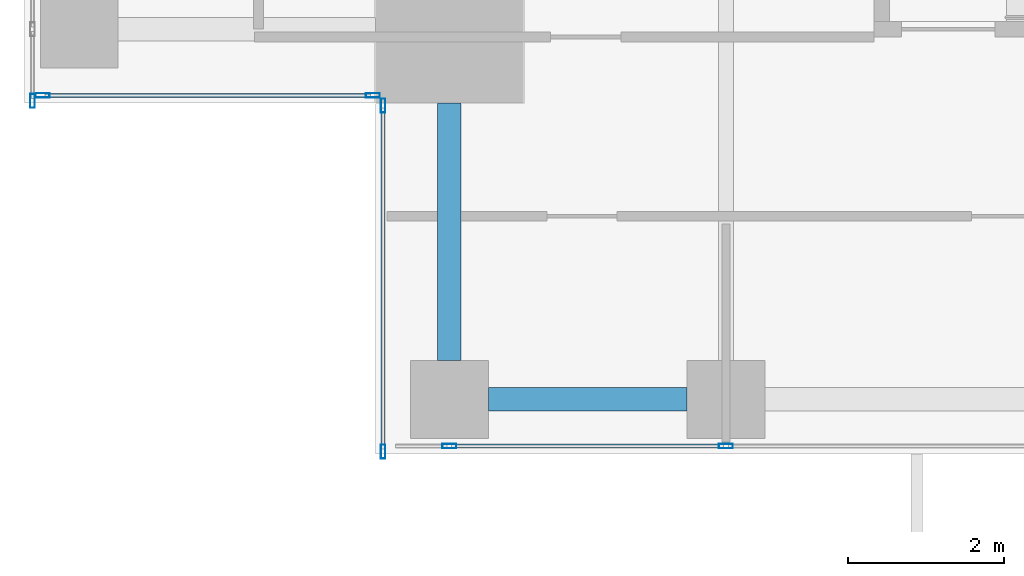
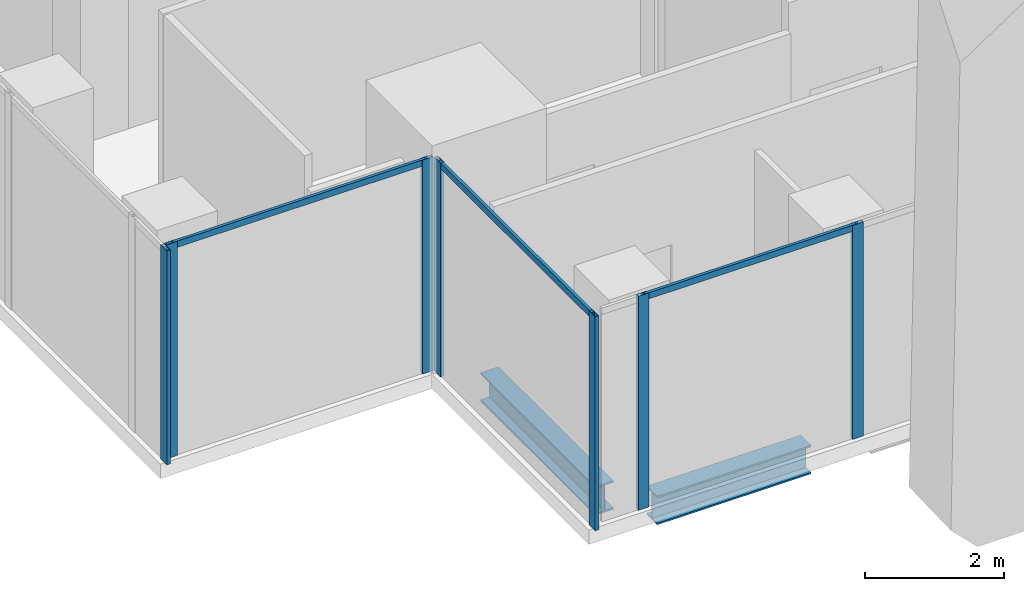
# One storey, part 2 of 38: 10 members, 2 beams, 4 elements without a shape of their own.
"""IFC4 building model written with IfcOpenShell, lengths in metres."""

from ifc_helpers import new_model, si_unit, direction, frame, origin, origin_2d, place, context, subcontext, project, spatial, hollow_rectangle, i_section, extrude, source, transform, mapped, material, material_profile, profile_set, type_object, element, aggregate, save


model = new_model("IFC4")

# Units and contexts
model_context = context("Model", 3, precision=1e-05, world=origin(), true_north=direction((0.0, 1.0)))
body_context = subcontext(model_context, "Body", "Model", "MODEL_VIEW")
ifc_project = project(units=[si_unit("LENGTHUNIT", "METRE"), si_unit("AREAUNIT", "SQUARE_METRE"), si_unit("VOLUMEUNIT", "CUBIC_METRE"), si_unit("PLANEANGLEUNIT", "RADIAN"), si_unit("MASSUNIT", "GRAM", prefix="KILO")], contexts=[model_context])

# Site, building, storey
site_placement = place(None, origin())
site = spatial("IfcSite", under=ifc_project, at=site_placement, CompositionType="ELEMENT")
building_placement = place(site_placement, origin())
building = spatial("IfcBuilding", under=site, at=building_placement, Name="Khomas Fold Tower", CompositionType="ELEMENT")
storey_placement = place(building_placement, frame((0.0, 0.0, 196.699951171875)))
storey = spatial("IfcBuildingStorey", under=building, at=storey_placement, Name="L43", CompositionType="ELEMENT", Elevation=196.699951171875)

# Beams
ifc_material_1 = material(Name="Steel S355", Category="steel")
ifc_material_profile_1 = material_profile(ifc_material_1, i_section(OverallWidth=0.300048828125, OverallDepth=0.5, WebThickness=0.014404296875, FlangeThickness=0.028076171875, at=origin_2d()), Name="HE 500 B")
ifc_profile_set_1 = profile_set([ifc_material_profile_1], Name="Steel S355")
beam_type = type_object("IfcBeamType", Name="HE 500 B spandrel SB3", PredefinedType="SPANDREL", material=ifc_profile_set_1)
shared_shape_1 = source(origin(), body_context, "Body", "SweptSolid", [
    extrude(i_section(OverallWidth=0.300048828125, OverallDepth=0.5, WebThickness=0.014404296875, FlangeThickness=0.028076171875, at=origin_2d()), origin(), (0.0, 0.0, 1.0), 2.550048828125),
])
beam_1_placement = place(storey_placement, frame((8.949951171875, 3.699951171875, -0.5), z_axis=(1.0, 0.0, 0.0), x_axis=(0.0, 1.0, 0.0)))
element("IfcBeam", 1, at=beam_1_placement, inside=storey, type_object=beam_type, Name="SB3", PredefinedType="SPANDREL", context=body_context, shape_type="MappedRepresentation", body=[
    mapped(shared_shape_1, transform((0.0, 0.0, 0.0))),
])
shared_shape_2 = source(origin(), body_context, "Body", "SweptSolid", [
    extrude(i_section(OverallWidth=0.300048828125, OverallDepth=0.5, WebThickness=0.014404296875, FlangeThickness=0.028076171875, at=origin_2d()), origin(), (0.0, 0.0, 1.0), 3.300048828125),
])
beam_2_placement = place(storey_placement, frame((8.449951171875, 4.199951171875, -0.5), z_axis=(0.0, 1.0, 0.0), x_axis=(-1.0, 0.0, 0.0)))
element("IfcBeam", 2, at=beam_2_placement, inside=storey, type_object=beam_type, Name="SB3", PredefinedType="SPANDREL", context=body_context, shape_type="MappedRepresentation", body=[
    mapped(shared_shape_2, transform((0.0, 0.0, 0.0))),
])

# Curtain wall, members
ifc_material_2 = material(Name="Aluminium framed double glazing", Category="aluminium")
curtain_wall_type = type_object("IfcCurtainWallType", Name="SK-Unitised clear-glass wall, office floors CW2", PredefinedType="NOTDEFINED", material=ifc_material_2)
curtain_wall_1_placement = place(storey_placement, origin())
curtain_wall_1 = element("IfcCurtainWall", 3, at=curtain_wall_1_placement, inside=storey, type_object=curtain_wall_type, Name="CW2 run L43 00-0", PredefinedType="NOTDEFINED")
ifc_material_3 = material(Name="Aluminium", Category="aluminium")
ifc_material_profile_2 = material_profile(ifc_material_3, hollow_rectangle(XDim=0.06005859375, YDim=0.179931640625, WallThickness=0.00390625, at=origin_2d()), Name="SK-Unitised clear-glass wall, office floors mullion CW2-M")
ifc_profile_set_2 = profile_set([ifc_material_profile_2], Name="Aluminium")
member_type_1 = type_object("IfcMemberType", Name="SK-Unitised clear-glass wall, office floors mullion CW2-M", PredefinedType="MULLION", material=ifc_profile_set_2)
shared_shape_3 = source(origin(), body_context, "Body", "SweptSolid", [
    extrude(hollow_rectangle(XDim=0.06005859375, YDim=0.179931640625, WallThickness=0.00390625, at=origin_2d()), origin(), (0.0, 0.0, 1.0), 3.75),
])
member_1_placement = place(storey_placement, frame((8.449951171875, 3.10009765625, 0.0), z_axis=(0.0, 0.0, 1.0), x_axis=(0.0, 1.0, 0.0)))
member_1 = element("IfcMember", 4, at=member_1_placement, type_object=member_type_1, Name="CW2 mullion 2", PredefinedType="MULLION", context=body_context, shape_type="MappedRepresentation", body=[
    mapped(shared_shape_3, transform((0.0, 0.0, 0.0))),
])
member_2_placement = place(storey_placement, frame((12.0, 3.10009765625, 0.0), z_axis=(0.0, 0.0, 1.0), x_axis=(0.0, 1.0, 0.0)))
member_2 = element("IfcMember", 5, at=member_2_placement, type_object=member_type_1, Name="CW2 mullion 3", PredefinedType="MULLION", context=body_context, shape_type="MappedRepresentation", body=[
    mapped(shared_shape_3, transform((0.0, 0.0, 0.0))),
])

# Curtain wall, member
curtain_wall_2_placement = place(storey_placement, origin())
curtain_wall_2 = element("IfcCurtainWall", 6, at=curtain_wall_2_placement, inside=storey, type_object=curtain_wall_type, Name="CW2 run L43 09-0", PredefinedType="NOTDEFINED")
member_3_placement = place(storey_placement, frame((3.10009765625, 7.530029296875, 0.0), z_axis=(0.0, 0.0, 1.0), x_axis=(1.0, 0.0, 0.0)))
member_3 = element("IfcMember", 7, at=member_3_placement, type_object=member_type_1, Name="CW2 mullion 9", PredefinedType="MULLION", context=body_context, shape_type="MappedRepresentation", body=[
    mapped(shared_shape_3, transform((0.0, 0.0, 0.0))),
])
aggregate(curtain_wall_2, [member_3])

# Curtain wall, members
curtain_wall_3_placement = place(storey_placement, origin())
curtain_wall_3 = element("IfcCurtainWall", 8, at=curtain_wall_3_placement, inside=storey, type_object=curtain_wall_type, Name="CW2 corner return L43 10", PredefinedType="NOTDEFINED")
member_4_placement = place(storey_placement, frame((3.22998046875, 7.60009765625, 0.0), z_axis=(0.0, 0.0, 1.0), x_axis=(0.0, 1.0, 0.0)))
member_4 = element("IfcMember", 9, at=member_4_placement, type_object=member_type_1, Name="CW2 mullion 1", PredefinedType="MULLION", context=body_context, shape_type="MappedRepresentation", body=[
    mapped(shared_shape_3, transform((0.0, 0.0, 0.0))),
])
member_5_placement = place(storey_placement, frame((7.469970703125, 7.60009765625, 0.0), z_axis=(0.0, 0.0, 1.0), x_axis=(0.0, 1.0, 0.0)))
member_5 = element("IfcMember", 10, at=member_5_placement, type_object=member_type_1, Name="CW2 mullion 2", PredefinedType="MULLION", context=body_context, shape_type="MappedRepresentation", body=[
    mapped(shared_shape_3, transform((0.0, 0.0, 0.0))),
])

curtain_wall_4_placement = place(storey_placement, origin())
curtain_wall_4 = element("IfcCurtainWall", 11, at=curtain_wall_4_placement, inside=storey, type_object=curtain_wall_type, Name="CW2 corner return L43 11", PredefinedType="NOTDEFINED")
member_6_placement = place(storey_placement, frame((7.60009765625, 7.469970703125, 0.0), z_axis=(0.0, 0.0, 1.0), x_axis=(1.0, 0.0, 0.0)))
member_6 = element("IfcMember", 12, at=member_6_placement, type_object=member_type_1, Name="CW2 mullion 1", PredefinedType="MULLION", context=body_context, shape_type="MappedRepresentation", body=[
    mapped(shared_shape_3, transform((0.0, 0.0, 0.0))),
])
member_7_placement = place(storey_placement, frame((7.60009765625, 3.030029296875, 0.0), z_axis=(0.0, 0.0, 1.0), x_axis=(1.0, 0.0, 0.0)))
member_7 = element("IfcMember", 13, at=member_7_placement, type_object=member_type_1, Name="CW2 mullion 2", PredefinedType="MULLION", context=body_context, shape_type="MappedRepresentation", body=[
    mapped(shared_shape_3, transform((0.0, 0.0, 0.0))),
])
ifc_material_4 = material(Name="Aluminium", Category="aluminium")
ifc_material_profile_3 = material_profile(ifc_material_4, hollow_rectangle(XDim=0.050048828125, YDim=0.110107421875, WallThickness=0.00390625, at=origin_2d()), Name="SK-Unitised clear-glass wall, office floors transom CW2-T")
ifc_profile_set_3 = profile_set([ifc_material_profile_3], Name="Aluminium")
member_type_2 = type_object("IfcMemberType", Name="SK-Unitised clear-glass wall, office floors transom CW2-T", PredefinedType="USERDEFINED", material=ifc_profile_set_3)
shared_shape_4 = source(origin(), body_context, "Body", "SweptSolid", [
    extrude(hollow_rectangle(XDim=0.050048828125, YDim=0.110107421875, WallThickness=0.00390625, at=origin_2d()), origin(), (0.0, 0.0, 1.0), 4.3798828125),
])
member_8_placement = place(storey_placement, frame((7.60009765625, 7.43994140625, 3.695068359375), z_axis=(0.0, -1.0, 0.0), x_axis=(1.0, 0.0, 0.0)))
member_8 = element("IfcMember", 14, at=member_8_placement, type_object=member_type_2, Name="CW2 transom 1", ObjectType="TRANSOM", PredefinedType="USERDEFINED", context=body_context, shape_type="MappedRepresentation", body=[
    mapped(shared_shape_4, transform((0.0, 0.0, 0.0))),
])
aggregate(curtain_wall_4, [member_6, member_7, member_8])

# Member
shared_shape_5 = source(origin(), body_context, "Body", "SweptSolid", [
    extrude(hollow_rectangle(XDim=0.050048828125, YDim=0.110107421875, WallThickness=0.00390625, at=origin_2d()), origin(), (0.0, 0.0, 1.0), 3.489990234375),
])
member_9_placement = place(storey_placement, frame((8.47998046875, 3.10009765625, 3.695068359375), z_axis=(1.0, 0.0, 0.0), x_axis=(0.0, 1.0, 0.0)))
member_9 = element("IfcMember", 15, at=member_9_placement, type_object=member_type_2, Name="CW2 transom 2", ObjectType="TRANSOM", PredefinedType="USERDEFINED", context=body_context, shape_type="MappedRepresentation", body=[
    mapped(shared_shape_5, transform((0.0, 0.0, 0.0))),
])

aggregate(curtain_wall_1, [member_1, member_2, member_9])

shared_shape_6 = source(origin(), body_context, "Body", "SweptSolid", [
    extrude(hollow_rectangle(XDim=0.050048828125, YDim=0.110107421875, WallThickness=0.00390625, at=origin_2d()), origin(), (0.0, 0.0, 1.0), 4.179931640625),
])
member_10_placement = place(storey_placement, frame((3.260009765625, 7.60009765625, 3.695068359375), z_axis=(1.0, 0.0, 0.0), x_axis=(0.0, 1.0, 0.0)))
member_10 = element("IfcMember", 16, at=member_10_placement, type_object=member_type_2, Name="CW2 transom 1", ObjectType="TRANSOM", PredefinedType="USERDEFINED", context=body_context, shape_type="MappedRepresentation", body=[
    mapped(shared_shape_6, transform((0.0, 0.0, 0.0))),
])

aggregate(curtain_wall_3, [member_4, member_5, member_10])

save(model, "model.ifc")
